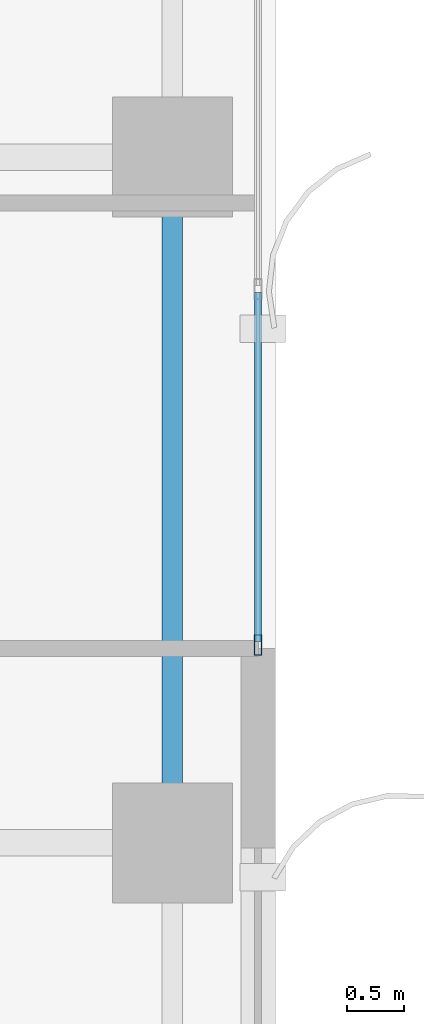
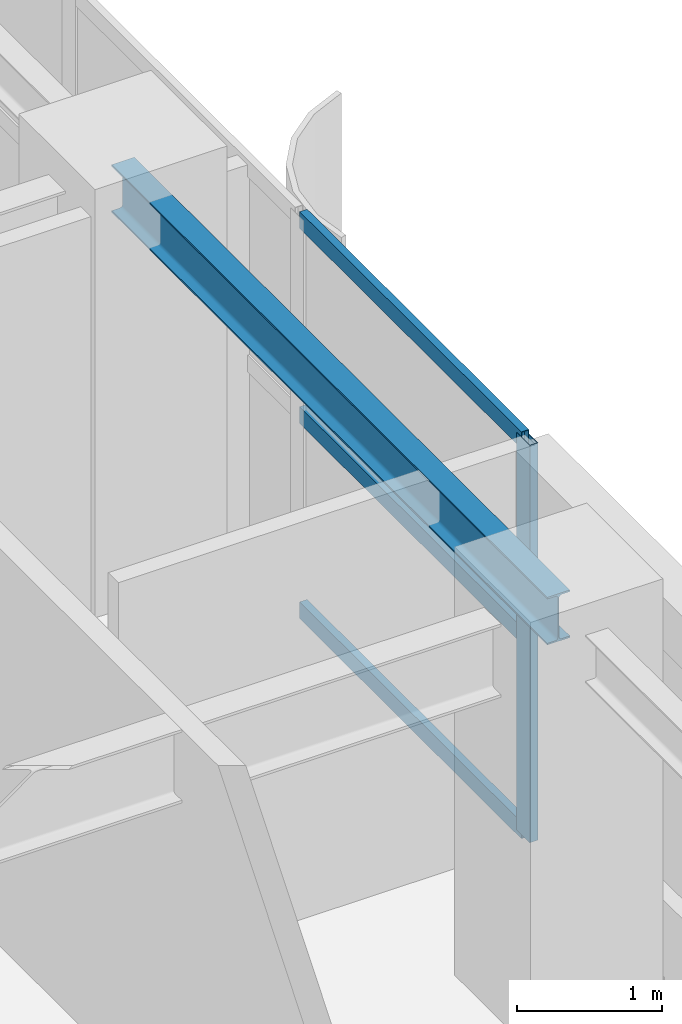
# One storey, part 7 of 23: 4 members, 1 beam, 1 element without a shape of its own.
"""IFC4 building model written with IfcOpenShell, lengths in metres."""

import ifcopenshell
import ifcopenshell.guid

model = None  # the IFC model being written
_history = None  # IfcOwnerHistory: only IFC2X3 demands one
_inside = {}  # id of a spatial element -> (the spatial element, [elements in it])
_under = {}  # id of a project, library or spatial element -> (it, [spatial elements below it])
_declared = {}  # id of a project -> (the project, [libraries it declares])
_typed = {}  # id of a type object -> (the type object, [elements of that type])
_made_of = {}  # id of a material, layer set ... -> (it, [elements and type objects made of it])


def new_model(schema):
    """Start an empty IFC model of exactly this schema.

    Asked for "IFC4X3", IfcOpenShell would pick the latest addendum, in which some entities
    have other attributes; the version numbers below select the first issue.
    IFC2X3 requires an IfcOwnerHistory on every rooted entity: one is made here for all.
    """
    global model, _history
    if schema == "IFC4X3":
        model = ifcopenshell.file(schema_version=(4, 3, 0, 0))
    else:
        model = ifcopenshell.file(schema=schema)
    _inside.clear()
    _under.clear()
    _declared.clear()
    _typed.clear()
    _made_of.clear()
    _history = None
    if model.schema == "IFC2X3":
        org = make("IfcOrganization", Name="unknown")
        user = make(
            "IfcPersonAndOrganization",
            ThePerson=make("IfcPerson", FamilyName="unknown"),
            TheOrganization=org,
        )
        app = make(
            "IfcApplication",
            ApplicationDeveloper=org,
            Version="unknown",
            ApplicationFullName="unknown",
            ApplicationIdentifier="unknown",
        )
        _history = make(
            "IfcOwnerHistory",
            OwningUser=user,
            OwningApplication=app,
            ChangeAction="ADDED",
            CreationDate=0,
        )
    return model


def make(cls, **values):
    """One entity of the class cls with the attributes given. An attribute that is None is left unset."""
    return model.create_entity(
        cls, **{name: value for name, value in values.items() if value is not None}
    )


def rooted(cls, **values):
    """An entity with a GlobalId (a new one), such as an element, a storey or a relation."""
    return make(cls, GlobalId=ifcopenshell.guid.new(), OwnerHistory=_history, **values)


def si_unit(unit_type, name, prefix=None):
    """IfcSIUnit, for example si_unit("LENGTHUNIT", "METRE", prefix="MILLI")."""
    return make("IfcSIUnit", UnitType=unit_type, Prefix=prefix, Name=name)


def assignment(units):
    """IfcUnitAssignment: the units of a project."""
    return None if units is None else make("IfcUnitAssignment", Units=units)


def point(xyz):
    """IfcCartesianPoint."""
    return None if xyz is None else make("IfcCartesianPoint", Coordinates=xyz)


def direction(xyz):
    """IfcDirection."""
    return None if xyz is None else make("IfcDirection", DirectionRatios=xyz)


def frame(location, z_axis=None, x_axis=None):
    """IfcAxis2Placement3D, a coordinate frame: its origin and axes. An axis left out is left unset."""
    return make(
        "IfcAxis2Placement3D",
        Location=point(location),
        Axis=direction(z_axis),
        RefDirection=direction(x_axis),
    )


def frame_2d(location, x_axis=None):
    """IfcAxis2Placement2D, a coordinate frame in the plane: its origin and x axis."""
    return make(
        "IfcAxis2Placement2D", Location=point(location), RefDirection=direction(x_axis)
    )


def origin():
    """The frame at (0, 0, 0) with its axes left unset."""
    return frame((0.0, 0.0, 0.0))


def origin_2d():
    """The frame at (0, 0) in the plane with its x axis left unset."""
    return frame_2d((0.0, 0.0))


def place(relative_to, where):
    """IfcLocalPlacement: puts the frame where relative to a parent placement (None: the world)."""
    return make(
        "IfcLocalPlacement", PlacementRelTo=relative_to, RelativePlacement=where
    )


def context(
    kind, dimensions, precision=None, world=None, true_north=None, identifier=None
):
    """IfcGeometricRepresentationContext, for example the 3D "Model" context."""
    return make(
        "IfcGeometricRepresentationContext",
        ContextIdentifier=identifier,
        ContextType=kind,
        CoordinateSpaceDimension=dimensions,
        Precision=precision,
        WorldCoordinateSystem=world,
        TrueNorth=true_north,
    )


def subcontext(parent, identifier, kind, view, scale=None):
    """IfcGeometricRepresentationSubContext, for example "Body" below "Model"."""
    return make(
        "IfcGeometricRepresentationSubContext",
        ContextIdentifier=identifier,
        ContextType=kind,
        ParentContext=parent,
        TargetScale=scale,
        TargetView=view,
    )


def project(units=None, contexts=None):
    """IfcProject with its units and contexts."""
    return rooted(
        "IfcProject",
        Name="project",
        RepresentationContexts=contexts,
        UnitsInContext=assignment(units),
    )


def spatial(cls, under=None, at=None, **own):
    """A site, building, storey or space (cls), placed at a placement, below another one or the project."""
    s = rooted(cls, ObjectPlacement=at, **own)
    if under is not None:
        _under.setdefault(under.id(), (under, []))[1].append(s)
    return s


def profile(cls, at=None, kind="AREA", **sizes):
    """A parametric profile (cls). Its sizes go by their IFC names, for example OverallWidth=200.0."""
    return make(cls, ProfileType=kind, Position=at, **sizes)


def hollow_rectangle(**sizes):
    """IfcRectangleHollowProfileDef."""
    return profile("IfcRectangleHollowProfileDef", **sizes)


def i_section(**sizes):
    """IfcIShapeProfileDef."""
    return profile("IfcIShapeProfileDef", **sizes)


def extrude(swept, where, along, depth):
    """IfcExtrudedAreaSolid: the profile swept, set in the frame where, extruded along a direction by depth."""
    return make(
        "IfcExtrudedAreaSolid",
        SweptArea=swept,
        Position=where,
        ExtrudedDirection=direction(along),
        Depth=depth,
    )


def shape(context_of_items, identifier, shape_type, items):
    """IfcShapeRepresentation: the items that make up one representation, for example the "Body"."""
    return make(
        "IfcShapeRepresentation",
        ContextOfItems=context_of_items,
        RepresentationIdentifier=identifier,
        RepresentationType=shape_type,
        Items=items,
    )


def source(mapping_origin, context_of_items, identifier, shape_type, items):
    """IfcRepresentationMap: a shape defined once, which mapped items show again and again."""
    return make(
        "IfcRepresentationMap",
        MappingOrigin=mapping_origin,
        MappedRepresentation=shape(context_of_items, identifier, shape_type, items),
    )


def transform(
    local_origin,
    x_axis=None,
    y_axis=None,
    z_axis=None,
    scale=None,
    scale2=None,
    scale3=None,
    uniform=True,
):
    """IfcCartesianTransformationOperator3D, or its non-uniform kind. x_axis, y_axis, z_axis: its Axis1, 2, 3."""
    if uniform:
        return make(
            "IfcCartesianTransformationOperator3D",
            Axis1=direction(x_axis),
            Axis2=direction(y_axis),
            LocalOrigin=point(local_origin),
            Scale=scale,
            Axis3=direction(z_axis),
        )
    return make(
        "IfcCartesianTransformationOperator3DnonUniform",
        Axis1=direction(x_axis),
        Axis2=direction(y_axis),
        LocalOrigin=point(local_origin),
        Scale=scale,
        Axis3=direction(z_axis),
        Scale2=scale2,
        Scale3=scale3,
    )


def mapped(mapping_source, mapping_target):
    """IfcMappedItem: shows the shape of a source again, moved by a transform."""
    return make(
        "IfcMappedItem", MappingSource=mapping_source, MappingTarget=mapping_target
    )


def material(Name=None, Category=None):
    """IfcMaterial."""
    return make("IfcMaterial", Name=Name, Category=Category)


def layer(
    of_material, thickness, ventilated=None, Name=None, Category=None, Priority=None
):
    """IfcMaterialLayer: one layer of a wall or slab, of a material (None: an air gap)."""
    return make(
        "IfcMaterialLayer",
        Material=of_material,
        LayerThickness=thickness,
        IsVentilated=ventilated,
        Name=Name,
        Category=Category,
        Priority=Priority,
    )


def layer_set(layers, Name=None):
    """IfcMaterialLayerSet."""
    return make("IfcMaterialLayerSet", MaterialLayers=layers, LayerSetName=Name)


def material_profile(
    of_material, cross_section, Name=None, Category=None, Priority=None
):
    """IfcMaterialProfile: a cross section and its material."""
    return make(
        "IfcMaterialProfile",
        Name=Name,
        Material=of_material,
        Profile=cross_section,
        Priority=Priority,
        Category=Category,
    )


def profile_set(profiles, Name=None, composite=None):
    """IfcMaterialProfileSet."""
    return make(
        "IfcMaterialProfileSet",
        Name=Name,
        MaterialProfiles=profiles,
        CompositeProfile=composite,
    )


def made_of(thing, what):
    """Note that an element or type object is made of a material, layer set ...; save() writes the relation."""
    if what is not None:
        _made_of.setdefault(what.id(), (what, []))[1].append(thing)
    return thing


def type_object(cls, material=None, **own):
    """A type object (cls), such as IfcWallType, which elements share."""
    return made_of(rooted(cls, **own), material)


def element(
    cls,
    number,
    at=None,
    inside=None,
    cuts=None,
    type_object=None,
    material=None,
    context=None,
    identifier="Body",
    shape_type=None,
    held_by="IfcProductDefinitionShape",
    body=None,
    shapes=None,
    **own,
):
    """One element of the class cls, such as IfcWall. Its Tag is "e" and its number.

    at: its placement. inside: the storey or other place that contains it. cuts: it is an
    opening in that element (IfcRelVoidsElement). A single representation is given by context,
    identifier, shape_type and body (its items); several are given by shapes. held_by: the class
    of the entity that holds the representations. save() writes the other relations.
    """
    e = rooted(cls, Tag="e%d" % number, ObjectPlacement=at, **own)
    if body is not None:
        shapes = [shape(context, identifier, shape_type, body)]
    if shapes is not None:
        e.Representation = make(held_by, Representations=shapes)
    if inside is not None:
        _inside.setdefault(inside.id(), (inside, []))[1].append(e)
    if cuts is not None:
        rooted(
            "IfcRelVoidsElement", RelatingBuildingElement=cuts, RelatedOpeningElement=e
        )
    if type_object is not None:
        _typed.setdefault(type_object.id(), (type_object, []))[1].append(e)
    return made_of(e, material)


def aggregate(whole, parts):
    """IfcRelAggregates: a whole, such as a stair, and the parts it consists of."""
    return rooted("IfcRelAggregates", RelatingObject=whole, RelatedObjects=parts)


def save(model, path):
    """Write the relations noted so far, then the file.

    IfcRelAggregates (storeys below a building ...), IfcRelContainedInSpatialStructure (elements
    in a storey), IfcRelDefinesByType, IfcRelAssociatesMaterial and IfcRelDeclares: one each for
    every whole, place, type object, material and project.
    """
    for whole, parts in _under.values():
        aggregate(whole, parts)
    for where, things in _inside.values():
        rooted(
            "IfcRelContainedInSpatialStructure",
            RelatedElements=things,
            RelatingStructure=where,
        )
    for kind, things in _typed.values():
        rooted("IfcRelDefinesByType", RelatedObjects=things, RelatingType=kind)
    for what, things in _made_of.values():
        rooted("IfcRelAssociatesMaterial", RelatedObjects=things, RelatingMaterial=what)
    for by, libraries in _declared.values():
        rooted("IfcRelDeclares", RelatingContext=by, RelatedDefinitions=libraries)
    model.write(path)


model = new_model("IFC4")

# Units and contexts
model_context = context("Model", 3, precision=1e-05, world=origin(), true_north=direction((0.0, 1.0)))
body_context = subcontext(model_context, "Body", "Model", "MODEL_VIEW")
ifc_project = project(units=[si_unit("LENGTHUNIT", "METRE"), si_unit("AREAUNIT", "SQUARE_METRE"), si_unit("VOLUMEUNIT", "CUBIC_METRE"), si_unit("PLANEANGLEUNIT", "RADIAN"), si_unit("MASSUNIT", "GRAM", prefix="KILO")], contexts=[model_context])

# Site, building, storey
site_placement = place(None, origin())
site = spatial("IfcSite", under=ifc_project, at=site_placement, CompositionType="ELEMENT")
building_placement = place(site_placement, origin())
building = spatial("IfcBuilding", under=site, at=building_placement, Name="Khoralis Quay Care Tower", CompositionType="ELEMENT")
storey_placement = place(building_placement, frame((0.0, 0.0, 119.699951171875)))
storey = spatial("IfcBuildingStorey", under=building, at=storey_placement, Name="L31", CompositionType="ELEMENT", Elevation=119.699951171875)

# Beam
ifc_material_1 = material(Name="Steel S355", Category="steel")
ifc_material_profile_1 = material_profile(ifc_material_1, i_section(OverallWidth=0.179931640625, OverallDepth=0.39990234375, WebThickness=0.008544921875, FlangeThickness=0.013427734375, FilletRadius=0.02099609375, at=origin_2d()), Name="Steel S355")
ifc_profile_set_1 = profile_set([ifc_material_profile_1], Name="Steel S355")
beam_type = type_object("IfcBeamType", Name="BM-IPE400", PredefinedType="SPANDREL", material=ifc_profile_set_1)
shared_shape_1 = source(origin(), body_context, "Body", "SweptSolid", [
    extrude(i_section(OverallWidth=0.179931640625, OverallDepth=0.39990234375, WebThickness=0.008544921875, FlangeThickness=0.013427734375, FilletRadius=0.02099609375, at=origin_2d()), origin(), (0.0, 0.0, 1.0), 6.0),
])
beam_placement = place(storey_placement, frame((44.10009765625, 18.0, 3.14013671875), z_axis=(0.0, 1.0, 0.0), x_axis=(-1.0, 0.0, 0.0)))
element("IfcBeam", 1, at=beam_placement, inside=storey, type_object=beam_type, Name="BM-TSP-L31-18", PredefinedType="SPANDREL", context=body_context, shape_type="MappedRepresentation", body=[
    mapped(shared_shape_1, transform((0.0, 0.0, 0.0), scale=1.0)),
])

# Curtain wall, members
ifc_material_2 = material(Name="Pale anodised aluminium", Category="aluminium")
ifc_layer = layer(ifc_material_2, 0.169921875)
ifc_layer_set = layer_set([ifc_layer], Name="Pale anodised aluminium")
curtain_wall_type = type_object("IfcCurtainWallType", Name="CW-SYS-Z2", PredefinedType="NOTDEFINED", material=ifc_layer_set)
curtain_wall_placement = place(storey_placement, origin())
curtain_wall = element("IfcCurtainWall", 2, at=curtain_wall_placement, inside=storey, type_object=curtain_wall_type, Name="L31 Unitised Curtain Wall CW-L31-P1-E5", PredefinedType="NOTDEFINED")
ifc_material_profile_2 = material_profile(ifc_material_2, hollow_rectangle(XDim=0.06005859375, YDim=0.139892578125, WallThickness=0.00390625, at=origin_2d()), Name="Pale anodised aluminium")
ifc_profile_set_2 = profile_set([ifc_material_profile_2], Name="Pale anodised aluminium")
member_type_1 = type_object("IfcMemberType", Name="CW-TRN-140", PredefinedType="USERDEFINED", material=ifc_profile_set_2)
shared_shape_2 = source(origin(), body_context, "Body", "SweptSolid", [
    extrude(hollow_rectangle(XDim=0.06005859375, YDim=0.139892578125, WallThickness=0.00390625, at=origin_2d()), origin(), (0.0, 0.0, 1.0), 3.054931640625),
])
member_1_placement = place(storey_placement, frame((44.85009765625, 19.760009765625, 0.030029296875), z_axis=(0.0, 1.0, 0.0), x_axis=(-1.0, 0.0, 0.0)))
member_1 = element("IfcMember", 3, at=member_1_placement, type_object=member_type_1, Name="CW2 transom 1.1", ObjectType="TRANSOM", PredefinedType="USERDEFINED", context=body_context, shape_type="MappedRepresentation", body=[
    mapped(shared_shape_2, transform((0.0, 0.0, 0.0), scale=1.0)),
])
member_2_placement = place(storey_placement, frame((44.85009765625, 19.760009765625, 1.670166015625), z_axis=(0.0, 1.0, 0.0), x_axis=(-1.0, 0.0, 0.0)))
member_2 = element("IfcMember", 4, at=member_2_placement, type_object=member_type_1, Name="CW2 transom 1.2", ObjectType="TRANSOM", PredefinedType="USERDEFINED", context=body_context, shape_type="MappedRepresentation", body=[
    mapped(shared_shape_2, transform((0.0, 0.0, 0.0), scale=1.0)),
])
member_3_placement = place(storey_placement, frame((44.85009765625, 19.760009765625, 3.31005859375), z_axis=(0.0, 1.0, 0.0), x_axis=(-1.0, 0.0, 0.0)))
member_3 = element("IfcMember", 5, at=member_3_placement, type_object=member_type_1, Name="CW2 transom 1.3", ObjectType="TRANSOM", PredefinedType="USERDEFINED", context=body_context, shape_type="MappedRepresentation", body=[
    mapped(shared_shape_2, transform((0.0, 0.0, 0.0), scale=1.0)),
])
ifc_material_profile_3 = material_profile(ifc_material_2, hollow_rectangle(XDim=0.06494140625, YDim=0.179931640625, WallThickness=0.00390625, at=origin_2d()), Name="Pale anodised aluminium")
ifc_profile_set_3 = profile_set([ifc_material_profile_3], Name="Pale anodised aluminium")
member_type_2 = type_object("IfcMemberType", Name="CW-MUL-180", PredefinedType="MULLION", material=ifc_profile_set_3)
shared_shape_3 = source(origin(), body_context, "Body", "SweptSolid", [
    extrude(hollow_rectangle(XDim=0.06494140625, YDim=0.179931640625, WallThickness=0.00390625, at=origin_2d()), origin(), (0.0, 0.0, 1.0), 3.340087890625),
])
member_4_placement = place(storey_placement, frame((44.85009765625, 19.72998046875, 0.0), z_axis=(0.0, 0.0, 1.0), x_axis=(-1.0, 0.0, 0.0)))
member_4 = element("IfcMember", 6, at=member_4_placement, type_object=member_type_2, Name="CW2 mullion 1", PredefinedType="MULLION", context=body_context, shape_type="MappedRepresentation", body=[
    mapped(shared_shape_3, transform((0.0, 0.0, 0.0), scale=1.0)),
])
aggregate(curtain_wall, [member_4, member_1, member_2, member_3])

save(model, "model.ifc")
